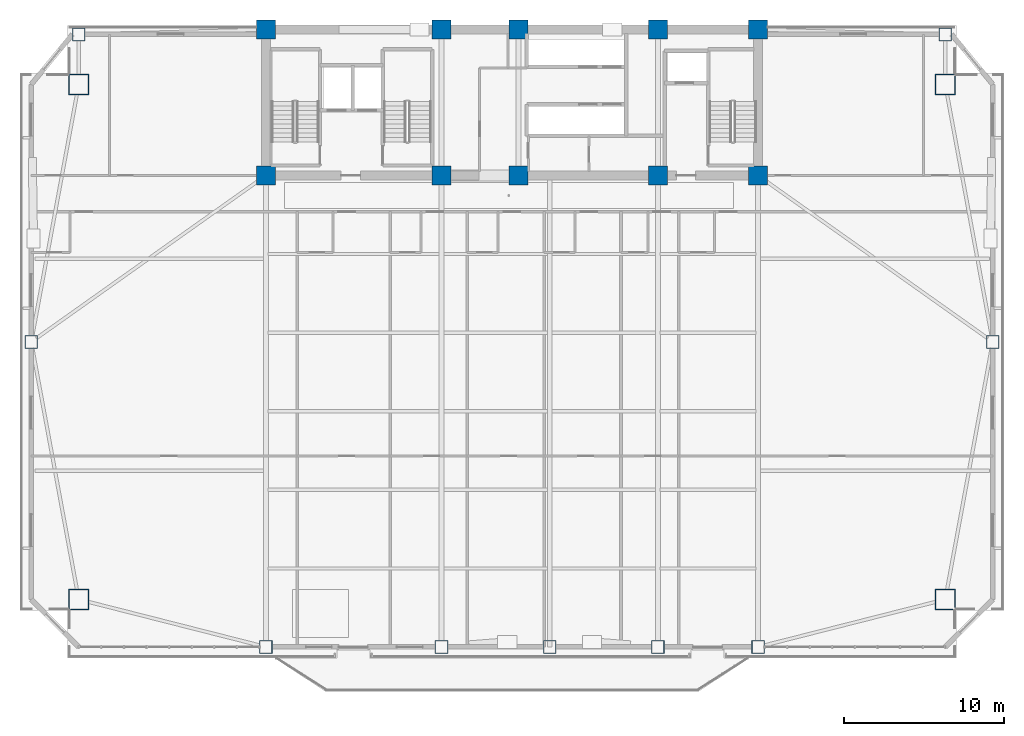
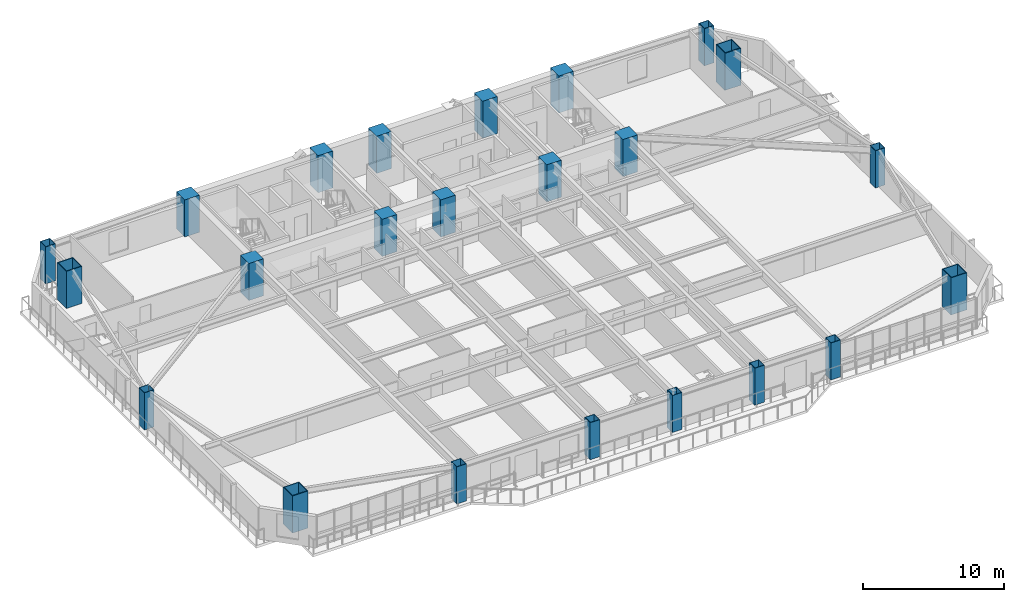
# One storey, part 1 of 17: 23 columns.
"""IFC4 building model written with IfcOpenShell, lengths in metres."""

import ifcopenshell
import ifcopenshell.guid

model = None  # the IFC model being written
_history = None  # IfcOwnerHistory: only IFC2X3 demands one
_inside = {}  # id of a spatial element -> (the spatial element, [elements in it])
_under = {}  # id of a project, library or spatial element -> (it, [spatial elements below it])
_declared = {}  # id of a project -> (the project, [libraries it declares])
_typed = {}  # id of a type object -> (the type object, [elements of that type])
_made_of = {}  # id of a material, layer set ... -> (it, [elements and type objects made of it])


def new_model(schema):
    """Start an empty IFC model of exactly this schema.

    Asked for "IFC4X3", IfcOpenShell would pick the latest addendum, in which some entities
    have other attributes; the version numbers below select the first issue.
    IFC2X3 requires an IfcOwnerHistory on every rooted entity: one is made here for all.
    """
    global model, _history
    if schema == "IFC4X3":
        model = ifcopenshell.file(schema_version=(4, 3, 0, 0))
    else:
        model = ifcopenshell.file(schema=schema)
    _inside.clear()
    _under.clear()
    _declared.clear()
    _typed.clear()
    _made_of.clear()
    _history = None
    if model.schema == "IFC2X3":
        org = make("IfcOrganization", Name="unknown")
        user = make(
            "IfcPersonAndOrganization",
            ThePerson=make("IfcPerson", FamilyName="unknown"),
            TheOrganization=org,
        )
        app = make(
            "IfcApplication",
            ApplicationDeveloper=org,
            Version="unknown",
            ApplicationFullName="unknown",
            ApplicationIdentifier="unknown",
        )
        _history = make(
            "IfcOwnerHistory",
            OwningUser=user,
            OwningApplication=app,
            ChangeAction="ADDED",
            CreationDate=0,
        )
    return model


def make(cls, **values):
    """One entity of the class cls with the attributes given. An attribute that is None is left unset."""
    return model.create_entity(
        cls, **{name: value for name, value in values.items() if value is not None}
    )


def rooted(cls, **values):
    """An entity with a GlobalId (a new one), such as an element, a storey or a relation."""
    return make(cls, GlobalId=ifcopenshell.guid.new(), OwnerHistory=_history, **values)


def si_unit(unit_type, name, prefix=None):
    """IfcSIUnit, for example si_unit("LENGTHUNIT", "METRE", prefix="MILLI")."""
    return make("IfcSIUnit", UnitType=unit_type, Prefix=prefix, Name=name)


def assignment(units):
    """IfcUnitAssignment: the units of a project."""
    return None if units is None else make("IfcUnitAssignment", Units=units)


def point(xyz):
    """IfcCartesianPoint."""
    return None if xyz is None else make("IfcCartesianPoint", Coordinates=xyz)


def direction(xyz):
    """IfcDirection."""
    return None if xyz is None else make("IfcDirection", DirectionRatios=xyz)


def frame(location, z_axis=None, x_axis=None):
    """IfcAxis2Placement3D, a coordinate frame: its origin and axes. An axis left out is left unset."""
    return make(
        "IfcAxis2Placement3D",
        Location=point(location),
        Axis=direction(z_axis),
        RefDirection=direction(x_axis),
    )


def frame_2d(location, x_axis=None):
    """IfcAxis2Placement2D, a coordinate frame in the plane: its origin and x axis."""
    return make(
        "IfcAxis2Placement2D", Location=point(location), RefDirection=direction(x_axis)
    )


def origin():
    """The frame at (0, 0, 0) with its axes left unset."""
    return frame((0.0, 0.0, 0.0))


def origin_2d():
    """The frame at (0, 0) in the plane with its x axis left unset."""
    return frame_2d((0.0, 0.0))


def place(relative_to, where):
    """IfcLocalPlacement: puts the frame where relative to a parent placement (None: the world)."""
    return make(
        "IfcLocalPlacement", PlacementRelTo=relative_to, RelativePlacement=where
    )


def context(
    kind, dimensions, precision=None, world=None, true_north=None, identifier=None
):
    """IfcGeometricRepresentationContext, for example the 3D "Model" context."""
    return make(
        "IfcGeometricRepresentationContext",
        ContextIdentifier=identifier,
        ContextType=kind,
        CoordinateSpaceDimension=dimensions,
        Precision=precision,
        WorldCoordinateSystem=world,
        TrueNorth=true_north,
    )


def subcontext(parent, identifier, kind, view, scale=None):
    """IfcGeometricRepresentationSubContext, for example "Body" below "Model"."""
    return make(
        "IfcGeometricRepresentationSubContext",
        ContextIdentifier=identifier,
        ContextType=kind,
        ParentContext=parent,
        TargetScale=scale,
        TargetView=view,
    )


def project(units=None, contexts=None):
    """IfcProject with its units and contexts."""
    return rooted(
        "IfcProject",
        Name="project",
        RepresentationContexts=contexts,
        UnitsInContext=assignment(units),
    )


def spatial(cls, under=None, at=None, **own):
    """A site, building, storey or space (cls), placed at a placement, below another one or the project."""
    s = rooted(cls, ObjectPlacement=at, **own)
    if under is not None:
        _under.setdefault(under.id(), (under, []))[1].append(s)
    return s


def profile(cls, at=None, kind="AREA", **sizes):
    """A parametric profile (cls). Its sizes go by their IFC names, for example OverallWidth=200.0."""
    return make(cls, ProfileType=kind, Position=at, **sizes)


def rectangle(**sizes):
    """IfcRectangleProfileDef."""
    return profile("IfcRectangleProfileDef", **sizes)


def hollow_rectangle(**sizes):
    """IfcRectangleHollowProfileDef."""
    return profile("IfcRectangleHollowProfileDef", **sizes)


def extrude(swept, where, along, depth):
    """IfcExtrudedAreaSolid: the profile swept, set in the frame where, extruded along a direction by depth."""
    return make(
        "IfcExtrudedAreaSolid",
        SweptArea=swept,
        Position=where,
        ExtrudedDirection=direction(along),
        Depth=depth,
    )


def shape(context_of_items, identifier, shape_type, items):
    """IfcShapeRepresentation: the items that make up one representation, for example the "Body"."""
    return make(
        "IfcShapeRepresentation",
        ContextOfItems=context_of_items,
        RepresentationIdentifier=identifier,
        RepresentationType=shape_type,
        Items=items,
    )


def source(mapping_origin, context_of_items, identifier, shape_type, items):
    """IfcRepresentationMap: a shape defined once, which mapped items show again and again."""
    return make(
        "IfcRepresentationMap",
        MappingOrigin=mapping_origin,
        MappedRepresentation=shape(context_of_items, identifier, shape_type, items),
    )


def transform(
    local_origin,
    x_axis=None,
    y_axis=None,
    z_axis=None,
    scale=None,
    scale2=None,
    scale3=None,
    uniform=True,
):
    """IfcCartesianTransformationOperator3D, or its non-uniform kind. x_axis, y_axis, z_axis: its Axis1, 2, 3."""
    if uniform:
        return make(
            "IfcCartesianTransformationOperator3D",
            Axis1=direction(x_axis),
            Axis2=direction(y_axis),
            LocalOrigin=point(local_origin),
            Scale=scale,
            Axis3=direction(z_axis),
        )
    return make(
        "IfcCartesianTransformationOperator3DnonUniform",
        Axis1=direction(x_axis),
        Axis2=direction(y_axis),
        LocalOrigin=point(local_origin),
        Scale=scale,
        Axis3=direction(z_axis),
        Scale2=scale2,
        Scale3=scale3,
    )


def mapped(mapping_source, mapping_target):
    """IfcMappedItem: shows the shape of a source again, moved by a transform."""
    return make(
        "IfcMappedItem", MappingSource=mapping_source, MappingTarget=mapping_target
    )


def material(Name=None, Category=None):
    """IfcMaterial."""
    return make("IfcMaterial", Name=Name, Category=Category)


def material_profile(
    of_material, cross_section, Name=None, Category=None, Priority=None
):
    """IfcMaterialProfile: a cross section and its material."""
    return make(
        "IfcMaterialProfile",
        Name=Name,
        Material=of_material,
        Profile=cross_section,
        Priority=Priority,
        Category=Category,
    )


def profile_set(profiles, Name=None, composite=None):
    """IfcMaterialProfileSet."""
    return make(
        "IfcMaterialProfileSet",
        Name=Name,
        MaterialProfiles=profiles,
        CompositeProfile=composite,
    )


def made_of(thing, what):
    """Note that an element or type object is made of a material, layer set ...; save() writes the relation."""
    if what is not None:
        _made_of.setdefault(what.id(), (what, []))[1].append(thing)
    return thing


def type_object(cls, material=None, **own):
    """A type object (cls), such as IfcWallType, which elements share."""
    return made_of(rooted(cls, **own), material)


def element(
    cls,
    number,
    at=None,
    inside=None,
    cuts=None,
    type_object=None,
    material=None,
    context=None,
    identifier="Body",
    shape_type=None,
    held_by="IfcProductDefinitionShape",
    body=None,
    shapes=None,
    **own,
):
    """One element of the class cls, such as IfcWall. Its Tag is "e" and its number.

    at: its placement. inside: the storey or other place that contains it. cuts: it is an
    opening in that element (IfcRelVoidsElement). A single representation is given by context,
    identifier, shape_type and body (its items); several are given by shapes. held_by: the class
    of the entity that holds the representations. save() writes the other relations.
    """
    e = rooted(cls, Tag="e%d" % number, ObjectPlacement=at, **own)
    if body is not None:
        shapes = [shape(context, identifier, shape_type, body)]
    if shapes is not None:
        e.Representation = make(held_by, Representations=shapes)
    if inside is not None:
        _inside.setdefault(inside.id(), (inside, []))[1].append(e)
    if cuts is not None:
        rooted(
            "IfcRelVoidsElement", RelatingBuildingElement=cuts, RelatedOpeningElement=e
        )
    if type_object is not None:
        _typed.setdefault(type_object.id(), (type_object, []))[1].append(e)
    return made_of(e, material)


def aggregate(whole, parts):
    """IfcRelAggregates: a whole, such as a stair, and the parts it consists of."""
    return rooted("IfcRelAggregates", RelatingObject=whole, RelatedObjects=parts)


def save(model, path):
    """Write the relations noted so far, then the file.

    IfcRelAggregates (storeys below a building ...), IfcRelContainedInSpatialStructure (elements
    in a storey), IfcRelDefinesByType, IfcRelAssociatesMaterial and IfcRelDeclares: one each for
    every whole, place, type object, material and project.
    """
    for whole, parts in _under.values():
        aggregate(whole, parts)
    for where, things in _inside.values():
        rooted(
            "IfcRelContainedInSpatialStructure",
            RelatedElements=things,
            RelatingStructure=where,
        )
    for kind, things in _typed.values():
        rooted("IfcRelDefinesByType", RelatedObjects=things, RelatingType=kind)
    for what, things in _made_of.values():
        rooted("IfcRelAssociatesMaterial", RelatedObjects=things, RelatingMaterial=what)
    for by, libraries in _declared.values():
        rooted("IfcRelDeclares", RelatingContext=by, RelatedDefinitions=libraries)
    model.write(path)


model = new_model("IFC4")

# Units and contexts
model_context = context("Model", 3, precision=1e-05, world=origin(), true_north=direction((0.0, 1.0)))
body_context = subcontext(model_context, "Body", "Model", "MODEL_VIEW")
ifc_project = project(units=[si_unit("LENGTHUNIT", "METRE"), si_unit("AREAUNIT", "SQUARE_METRE"), si_unit("VOLUMEUNIT", "CUBIC_METRE"), si_unit("PLANEANGLEUNIT", "RADIAN"), si_unit("MASSUNIT", "GRAM", prefix="KILO")], contexts=[model_context])

# Site, building, storey
site_placement = place(None, origin())
site = spatial("IfcSite", under=ifc_project, at=site_placement, CompositionType="ELEMENT")
building_placement = place(site_placement, origin())
building = spatial("IfcBuilding", under=site, at=building_placement, Name="Giltprow Tower", CompositionType="ELEMENT")
storey_placement = place(building_placement, frame((0.0, 0.0, 141.199951171875)))
storey = spatial("IfcBuildingStorey", under=building, at=storey_placement, Name="L34", CompositionType="ELEMENT", Elevation=141.199951171875)

# Columns
ifc_material_1 = material(Name="Concrete C60", Category="concrete")
ifc_material_profile_1 = material_profile(ifc_material_1, rectangle(XDim=1.199951171875, YDim=1.199951171875, at=origin_2d()), Name="RC 1200x1200")
ifc_profile_set_1 = profile_set([ifc_material_profile_1], Name="Concrete C60")
column_type_1 = type_object("IfcColumnType", Name="PIL-RC-1200-C60", PredefinedType="PILASTER", material=ifc_profile_set_1)
shared_shape_1 = source(origin(), body_context, "Body", "SweptSolid", [
    extrude(rectangle(XDim=1.199951171875, YDim=1.199951171875, at=origin_2d()), origin(), (0.0, 0.0, 1.0), 3.219970703125),
])
for number, where, z_axis, x_axis, name in (
    (1, (19.85009765625, 37.449951171875, 0.0), (0.0, 0.0, 1.0), (1.0, 0.0, 0.0), "L34 Core Boundary Pilaster 1-1"),
    (2, (19.85009765625, 46.550048828125, 0.0), (0.0, 0.0, 1.0), (1.0, 0.0, 0.0), "L34 Core Boundary Pilaster 1-2"),
    (3, (30.800048828125, 37.449951171875, 0.0), (0.0, 0.0, 1.0), (1.0, 0.0, 0.0), "L34 Core Boundary Pilaster 2-1"),
    (4, (30.800048828125, 46.550048828125, 0.0), (0.0, 0.0, 1.0), (1.0, 0.0, 0.0), "L34 Core Boundary Pilaster 2-2"),
    (5, (35.60009765625, 37.449951171875, 0.0), (0.0, 0.0, 1.0), (1.0, 0.0, 0.0), "L34 Core Boundary Pilaster 3-1"),
    (6, (35.60009765625, 46.550048828125, 0.0), (0.0, 0.0, 1.0), (1.0, 0.0, 0.0), "L34 Core Boundary Pilaster 3-2"),
    (7, (44.300048828125, 37.449951171875, 0.0), (0.0, 0.0, 1.0), (1.0, 0.0, 0.0), "L34 Core Boundary Pilaster 4-1"),
    (8, (44.300048828125, 46.550048828125, 0.0), (0.0, 0.0, 1.0), (1.0, 0.0, 0.0), "L34 Core Boundary Pilaster 4-2"),
    (9, (50.550048828125, 37.449951171875, 0.0), (0.0, 0.0, 1.0), (1.0, 0.0, 0.0), "L34 Core Boundary Pilaster 5-1"),
    (10, (50.550048828125, 46.550048828125, 0.0), (0.0, 0.0, 1.0), (1.0, 0.0, 0.0), "L34 Core Boundary Pilaster 5-2"),
):
    element("IfcColumn", number, at=place(storey_placement, frame(where, z_axis=z_axis, x_axis=x_axis)), inside=storey, type_object=column_type_1, Name=name, PredefinedType="PILASTER", context=body_context, shape_type="MappedRepresentation", body=[
        mapped(shared_shape_1, transform((0.0, 0.0, 0.0), x_axis=(1.0, 0.0, 0.0), y_axis=(0.0, 1.0, 0.0), z_axis=(0.0, 0.0, 1.0), scale=1.0)),
    ])
ifc_material_2 = material(Name="Structural steel Q420GJC", Category="steel")
ifc_material_profile_2 = material_profile(ifc_material_2, hollow_rectangle(XDim=1.300048828125, YDim=1.300048828125, WallThickness=0.06005859375, at=origin_2d()), Name="BOX 1300x1300x60")
ifc_profile_set_2 = profile_set([ifc_material_profile_2], Name="Structural steel Q420GJC")
column_type_2 = type_object("IfcColumnType", Name="COL-BOX-1300x1300x60", PredefinedType="COLUMN", material=ifc_profile_set_2)
shared_shape_2 = source(origin(), body_context, "Body", "SweptSolid", [
    extrude(hollow_rectangle(XDim=1.300048828125, YDim=1.300048828125, WallThickness=0.06005859375, at=origin_2d()), origin(), (0.0, 0.0, 1.0), 3.219970703125),
])
for number, where, z_axis, x_axis, name in (
    (11, (8.178955078125, 11.010009765625, 0.0), (0.0, 0.0, 1.0), (1.0, 0.0, 0.0), "L34 Mega-Column MC_SW"),
    (12, (62.220947265625, 11.010009765625, 0.0), (0.0, 0.0, 1.0), (1.0, 0.0, 0.0), "L34 Mega-Column MC_SE"),
    (13, (8.178955078125, 43.134033203125, 0.0), (0.0, 0.0, 1.0), (1.0, 0.0, 0.0), "L34 Mega-Column MC_NW"),
    (14, (62.220947265625, 43.134033203125, 0.0), (0.0, 0.0, 1.0), (1.0, 0.0, 0.0), "L34 Mega-Column MC_NE"),
):
    element("IfcColumn", number, at=place(storey_placement, frame(where, z_axis=z_axis, x_axis=x_axis)), inside=storey, type_object=column_type_2, Name=name, PredefinedType="COLUMN", context=body_context, shape_type="MappedRepresentation", body=[
        mapped(shared_shape_2, transform((0.0, 0.0, 0.0), x_axis=(1.0, 0.0, 0.0), y_axis=(0.0, 1.0, 0.0), z_axis=(0.0, 0.0, 1.0), scale=1.0)),
    ])
ifc_material_profile_3 = material_profile(ifc_material_2, hollow_rectangle(XDim=0.800048828125, YDim=0.800048828125, WallThickness=0.035888671875, at=origin_2d()), Name="BOX 800x800x36")
ifc_profile_set_3 = profile_set([ifc_material_profile_3], Name="Structural steel Q420GJC")
column_type_3 = type_object("IfcColumnType", Name="COL-BOX-800x800x36", PredefinedType="COLUMN", material=ifc_profile_set_3)
shared_shape_3 = source(origin(), body_context, "Body", "SweptSolid", [
    extrude(hollow_rectangle(XDim=0.800048828125, YDim=0.800048828125, WallThickness=0.035888671875, at=origin_2d()), origin(), (0.0, 0.0, 1.0), 3.219970703125),
])
for number, where, z_axis, x_axis, name in (
    (15, (19.85009765625, 8.044921875, 0.0), (0.0, 0.0, 1.0), (1.0, 0.0, 0.0), "L34 Perimeter Column S1"),
    (16, (30.800048828125, 8.044921875, 0.0), (0.0, 0.0, 1.0), (1.0, 0.0, 0.0), "L34 Perimeter Column S2"),
    (17, (37.550048828125, 8.044921875, 0.0), (0.0, 0.0, 1.0), (1.0, 0.0, 0.0), "L34 Perimeter Column S_MID"),
    (18, (44.300048828125, 8.044921875, 0.0), (0.0, 0.0, 1.0), (1.0, 0.0, 0.0), "L34 Perimeter Column S3"),
    (19, (50.550048828125, 8.044921875, 0.0), (0.0, 0.0, 1.0), (1.0, 0.0, 0.0), "L34 Perimeter Column S4"),
    (20, (5.214111328125, 27.072021484375, 0.0), (0.0, 0.0, 1.0), (1.0, 0.0, 0.0), "L34 Perimeter Column W_MID"),
    (21, (65.18603515625, 27.072021484375, 0.0), (0.0, 0.0, 1.0), (1.0, 0.0, 0.0), "L34 Perimeter Column E_MID"),
    (22, (8.178955078125, 46.25, 0.0), (0.0, 0.0, 1.0), (1.0, 0.0, 0.0), "L34 Perimeter Column N_W"),
    (23, (62.220947265625, 46.25, 0.0), (0.0, 0.0, 1.0), (1.0, 0.0, 0.0), "L34 Perimeter Column N_E"),
):
    element("IfcColumn", number, at=place(storey_placement, frame(where, z_axis=z_axis, x_axis=x_axis)), inside=storey, type_object=column_type_3, Name=name, PredefinedType="COLUMN", context=body_context, shape_type="MappedRepresentation", body=[
        mapped(shared_shape_3, transform((0.0, 0.0, 0.0), x_axis=(1.0, 0.0, 0.0), y_axis=(0.0, 1.0, 0.0), z_axis=(0.0, 0.0, 1.0), scale=1.0)),
    ])

save(model, "model.ifc")
